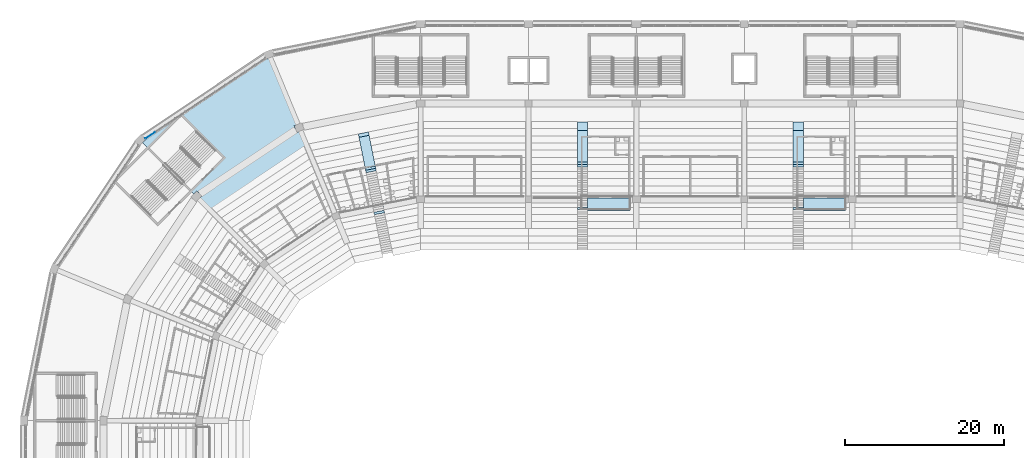
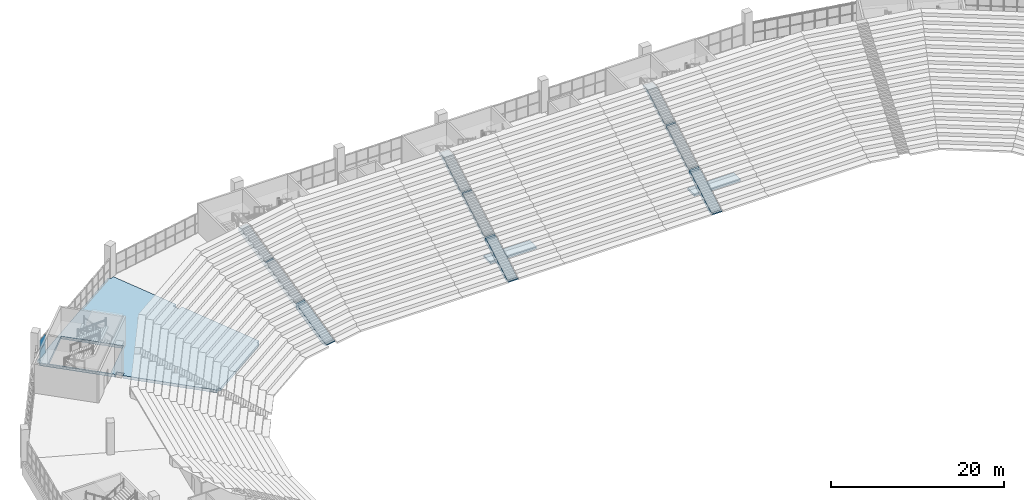
# One storey, part 77 of 249: 12 slabs, 2 plates, 1 element without a shape of its own.
"""IFC4 building model written with IfcOpenShell, lengths in metres."""

from ifc_helpers import new_model, si_unit, direction, frame, origin, origin_2d, place, context, subcontext, project, spatial, polyline, rectangle, outline, extrude, material, layer, layer_set, type_object, element, aggregate, save


model = new_model("IFC4")

# Units and contexts
model_context = context("Model", 3, precision=1e-05, world=origin(), true_north=direction((0.0, 1.0)))
body_context = subcontext(model_context, "Body", "Model", "MODEL_VIEW")
ifc_project = project(units=[si_unit("LENGTHUNIT", "METRE"), si_unit("AREAUNIT", "SQUARE_METRE"), si_unit("VOLUMEUNIT", "CUBIC_METRE"), si_unit("PLANEANGLEUNIT", "RADIAN"), si_unit("MASSUNIT", "GRAM", prefix="KILO")], contexts=[model_context])

# Site, building, storey
site_placement = place(None, origin())
site = spatial("IfcSite", under=ifc_project, at=site_placement, CompositionType="ELEMENT")
building_placement = place(site_placement, origin())
building = spatial("IfcBuilding", under=site, at=building_placement, Name="Ogive Plaza Stadium", CompositionType="ELEMENT")
storey_placement = place(building_placement, frame((0.0, 0.0, 13.5)))
storey = spatial("IfcBuildingStorey", under=building, at=storey_placement, Name="L03", CompositionType="ELEMENT", Elevation=13.5)

# Slabs
ifc_material_1 = material(Name="Concrete C40/50", Category="concrete")
ifc_layer_1 = layer(ifc_material_1, 0.73486328125)
ifc_layer_set_1 = layer_set([ifc_layer_1], Name="Concrete C40/50")
ifc_layer_2 = layer(ifc_material_1, 0.449951171875)
ifc_layer_set_2 = layer_set([ifc_layer_2], Name="Concrete C40/50")
slab_type_1 = type_object("IfcSlabType", Name="Aisle stair slab 1300", PredefinedType="USERDEFINED", material=ifc_layer_set_2)
slab_1_placement = place(storey_placement, frame((-38.1943359375, 73.5869140625, -13.5), z_axis=(0.0, 0.0, 1.0), x_axis=(-0.195090322016, 0.980785280403, 0.0)))
element("IfcSlab", 1, at=slab_1_placement, inside=storey, type_object=slab_type_1, material=ifc_layer_set_1, Name="Aisle stair SA31U slab 1", ObjectType="AISLE STAIR SLAB", PredefinedType="USERDEFINED", context=body_context, shape_type="SweptSolid", body=[
    extrude(outline(polyline([(0.0, 14.0), (0.2958984375, 14.0), (5.10009765625, 16.825927734375), (5.39990234375, 16.825927734375), (5.39990234375, 16.300048828125), (5.359375, 16.27734375), (5.209228515625, 16.194091796875), (5.059326171875, 16.110595703125), (4.9091796875, 16.02734375), (4.75927734375, 15.944091796875), (4.609375, 15.860595703125), (4.459228515625, 15.77734375), (4.309326171875, 15.694091796875), (4.1591796875, 15.610595703125), (4.00927734375, 15.52734375), (3.859375, 15.444091796875), (3.709228515625, 15.360595703125), (3.559326171875, 15.27734375), (3.4091796875, 15.194091796875), (3.25927734375, 15.110595703125), (3.109375, 15.02734375), (2.959228515625, 14.944091796875), (2.809326171875, 14.860595703125), (2.6591796875, 14.77734375), (2.50927734375, 14.694091796875), (2.359375, 14.610595703125), (2.209228515625, 14.52734375), (2.059326171875, 14.444091796875), (1.9091796875, 14.360595703125), (1.75927734375, 14.27734375), (1.609375, 14.194091796875), (1.459228515625, 14.110595703125), (1.309326171875, 14.02734375), (1.1591796875, 13.944091796875), (1.00927734375, 13.860595703125), (0.859375, 13.77734375), (0.709228515625, 13.75), (0.559326171875, 13.75), (0.4091796875, 13.75), (0.25927734375, 13.75), (0.109375, 13.75), (0.0, 14.0)])), frame((0.0, 0.64990234375, 0.0), z_axis=(0.0, -1.0, 0.0), x_axis=(1.0, 0.0, 0.0)), (0.0, 0.0, 1.0), 1.300048828125),
])
ifc_layer_3 = layer(ifc_material_1, 0.75927734375)
ifc_layer_set_3 = layer_set([ifc_layer_3], Name="Concrete C40/50")
slab_2_placement = place(storey_placement, frame((-39.248046875, 78.883056640625, -13.5), z_axis=(0.0, 0.0, 1.0), x_axis=(-0.195090322016, 0.980785280403, 0.0)))
element("IfcSlab", 2, at=slab_2_placement, inside=storey, type_object=slab_type_1, material=ifc_layer_set_3, Name="Aisle stair SA31U slab 2", ObjectType="AISLE STAIR SLAB", PredefinedType="USERDEFINED", context=body_context, shape_type="SweptSolid", body=[
    extrude(outline(polyline([(0.0, 17.0), (0.2958984375, 17.0), (5.10009765625, 19.825927734375), (5.39990234375, 19.825927734375), (5.39990234375, 19.300048828125), (5.25, 19.216796875), (5.10009765625, 19.13330078125), (4.949951171875, 19.050048828125), (4.800048828125, 18.966796875), (4.64990234375, 18.88330078125), (4.5, 18.800048828125), (4.35009765625, 18.716796875), (4.199951171875, 18.63330078125), (4.050048828125, 18.550048828125), (3.89990234375, 18.466796875), (3.75, 18.38330078125), (3.60009765625, 18.300048828125), (3.449951171875, 18.216796875), (3.300048828125, 18.13330078125), (3.14990234375, 18.050048828125), (3.0, 17.966796875), (2.85009765625, 17.88330078125), (2.699951171875, 17.800048828125), (2.550048828125, 17.716796875), (2.39990234375, 17.63330078125), (2.25, 17.550048828125), (2.10009765625, 17.466796875), (1.949951171875, 17.38330078125), (1.800048828125, 17.300048828125), (1.64990234375, 17.216796875), (1.5, 17.13330078125), (1.35009765625, 17.050048828125), (1.199951171875, 16.966796875), (1.050048828125, 16.88330078125), (0.89990234375, 16.800048828125), (0.75, 16.716796875), (0.60009765625, 16.63330078125), (0.449951171875, 16.550048828125), (0.300048828125, 16.466796875), (0.14990234375, 16.38330078125), (0.0, 16.300048828125), (0.0, 17.0)])), frame((0.0, 0.64990234375, 0.0), z_axis=(0.0, -1.0, 0.0), x_axis=(1.0, 0.0, 0.0)), (0.0, 0.0, 1.0), 1.300048828125),
])
ifc_layer_4 = layer(ifc_material_1, 0.81640625)
ifc_layer_set_4 = layer_set([ifc_layer_4], Name="Concrete C40/50")
slab_3_placement = place(storey_placement, frame((-40.301513671875, 84.179443359375, -13.5), z_axis=(0.0, 0.0, 1.0), x_axis=(-0.195090322016, 0.980785280403, 0.0)))
element("IfcSlab", 3, at=slab_3_placement, inside=storey, type_object=slab_type_1, material=ifc_layer_set_4, Name="Aisle stair SA31U slab 3", ObjectType="AISLE STAIR SLAB", PredefinedType="USERDEFINED", context=body_context, shape_type="SweptSolid", body=[
    extrude(outline(polyline([(0.0, 20.0), (0.2958984375, 20.0), (4.25, 22.325927734375), (4.675537109375, 22.325927734375), (4.675537109375, 21.897705078125), (4.64990234375, 21.88330078125), (4.5, 21.800048828125), (4.35009765625, 21.716796875), (4.199951171875, 21.63330078125), (4.050048828125, 21.550048828125), (3.89990234375, 21.466796875), (3.75, 21.38330078125), (3.60009765625, 21.300048828125), (3.449951171875, 21.216796875), (3.300048828125, 21.13330078125), (3.14990234375, 21.050048828125), (3.0, 20.966796875), (2.85009765625, 20.88330078125), (2.699951171875, 20.800048828125), (2.550048828125, 20.716796875), (2.39990234375, 20.63330078125), (2.25, 20.550048828125), (2.10009765625, 20.466796875), (1.949951171875, 20.38330078125), (1.800048828125, 20.300048828125), (1.64990234375, 20.216796875), (1.5, 20.13330078125), (1.35009765625, 20.050048828125), (1.199951171875, 19.966796875), (1.050048828125, 19.88330078125), (0.89990234375, 19.800048828125), (0.75, 19.716796875), (0.60009765625, 19.63330078125), (0.449951171875, 19.550048828125), (0.300048828125, 19.466796875), (0.14990234375, 19.38330078125), (0.0, 19.300048828125), (0.0, 20.0)])), frame((0.0, 0.64990234375, 0.0), z_axis=(0.0, -1.0, 0.0), x_axis=(1.0, 0.0, 0.0)), (0.0, 0.0, 1.0), 1.300048828125),
])
slab_4_placement = place(storey_placement, frame((-13.60009765625, 74.0, -13.5), z_axis=(0.0, 0.0, 1.0), x_axis=(0.0, 1.0, 0.0)))
element("IfcSlab", 4, at=slab_4_placement, inside=storey, type_object=slab_type_1, material=ifc_layer_set_1, Name="Aisle stair SA33U slab 1", ObjectType="AISLE STAIR SLAB", PredefinedType="USERDEFINED", context=body_context, shape_type="SweptSolid", body=[
    extrude(outline(polyline([(0.0, 14.0), (0.2958984375, 14.0), (5.10009765625, 16.825927734375), (5.39990234375, 16.825927734375), (5.39990234375, 16.300048828125), (5.359375, 16.27734375), (5.209228515625, 16.194091796875), (5.059326171875, 16.110595703125), (4.9091796875, 16.02734375), (4.75927734375, 15.944091796875), (4.609375, 15.860595703125), (4.459228515625, 15.77734375), (4.309326171875, 15.694091796875), (4.1591796875, 15.610595703125), (4.00927734375, 15.52734375), (3.859375, 15.444091796875), (3.709228515625, 15.360595703125), (3.559326171875, 15.27734375), (3.4091796875, 15.194091796875), (3.25927734375, 15.110595703125), (3.109375, 15.02734375), (2.959228515625, 14.944091796875), (2.809326171875, 14.860595703125), (2.6591796875, 14.77734375), (2.50927734375, 14.694091796875), (2.359375, 14.610595703125), (2.209228515625, 14.52734375), (2.059326171875, 14.444091796875), (1.9091796875, 14.360595703125), (1.75927734375, 14.27734375), (1.609375, 14.194091796875), (1.459228515625, 14.110595703125), (1.309326171875, 14.02734375), (1.1591796875, 13.944091796875), (1.00927734375, 13.860595703125), (0.859375, 13.77734375), (0.709228515625, 13.75), (0.559326171875, 13.75), (0.4091796875, 13.75), (0.25927734375, 13.75), (0.109375, 13.75), (0.0, 14.0)])), frame((0.0, 0.64990234375, 0.0), z_axis=(0.0, -1.0, 0.0), x_axis=(1.0, 0.0, 0.0)), (0.0, 0.0, 1.0), 1.300048828125),
])
slab_5_placement = place(storey_placement, frame((-13.60009765625, 79.39990234375, -13.5), z_axis=(0.0, 0.0, 1.0), x_axis=(0.0, 1.0, 0.0)))
element("IfcSlab", 5, at=slab_5_placement, inside=storey, type_object=slab_type_1, material=ifc_layer_set_3, Name="Aisle stair SA33U slab 2", ObjectType="AISLE STAIR SLAB", PredefinedType="USERDEFINED", context=body_context, shape_type="SweptSolid", body=[
    extrude(outline(polyline([(0.0, 17.0), (0.2958984375, 17.0), (5.10009765625, 19.825927734375), (5.39990234375, 19.825927734375), (5.39990234375, 19.300048828125), (5.25, 19.216796875), (5.10009765625, 19.13330078125), (4.949951171875, 19.050048828125), (4.800048828125, 18.966796875), (4.64990234375, 18.88330078125), (4.5, 18.800048828125), (4.35009765625, 18.716796875), (4.199951171875, 18.63330078125), (4.050048828125, 18.550048828125), (3.89990234375, 18.466796875), (3.75, 18.38330078125), (3.60009765625, 18.300048828125), (3.449951171875, 18.216796875), (3.300048828125, 18.13330078125), (3.14990234375, 18.050048828125), (3.0, 17.966796875), (2.85009765625, 17.88330078125), (2.699951171875, 17.800048828125), (2.550048828125, 17.716796875), (2.39990234375, 17.63330078125), (2.25, 17.550048828125), (2.10009765625, 17.466796875), (1.949951171875, 17.38330078125), (1.800048828125, 17.300048828125), (1.64990234375, 17.216796875), (1.5, 17.13330078125), (1.35009765625, 17.050048828125), (1.199951171875, 16.966796875), (1.050048828125, 16.88330078125), (0.89990234375, 16.800048828125), (0.75, 16.716796875), (0.60009765625, 16.63330078125), (0.449951171875, 16.550048828125), (0.300048828125, 16.466796875), (0.14990234375, 16.38330078125), (0.0, 16.300048828125), (0.0, 17.0)])), frame((0.0, 0.64990234375, 0.0), z_axis=(0.0, -1.0, 0.0), x_axis=(1.0, 0.0, 0.0)), (0.0, 0.0, 1.0), 1.300048828125),
])
ifc_layer_5 = layer(ifc_material_1, 1.08056640625)
ifc_layer_set_5 = layer_set([ifc_layer_5], Name="Concrete C40/50")
slab_6_placement = place(storey_placement, frame((-13.60009765625, 84.800048828125, -13.5), z_axis=(0.0, 0.0, 1.0), x_axis=(0.0, 1.0, 0.0)))
element("IfcSlab", 6, at=slab_6_placement, inside=storey, type_object=slab_type_1, material=ifc_layer_set_5, Name="Aisle stair SA33U slab 3", ObjectType="AISLE STAIR SLAB", PredefinedType="USERDEFINED", context=body_context, shape_type="SweptSolid", body=[
    extrude(outline(polyline([(0.0, 20.0), (0.2958984375, 20.0), (4.25, 22.325927734375), (5.35009765625, 22.325927734375), (5.35009765625, 22.272216796875), (5.25, 22.216796875), (5.10009765625, 22.13330078125), (4.949951171875, 22.050048828125), (4.800048828125, 21.966796875), (4.64990234375, 21.88330078125), (4.5, 21.800048828125), (4.35009765625, 21.716796875), (4.199951171875, 21.63330078125), (4.050048828125, 21.550048828125), (3.89990234375, 21.466796875), (3.75, 21.38330078125), (3.60009765625, 21.300048828125), (3.449951171875, 21.216796875), (3.300048828125, 21.13330078125), (3.14990234375, 21.050048828125), (3.0, 20.966796875), (2.85009765625, 20.88330078125), (2.699951171875, 20.800048828125), (2.550048828125, 20.716796875), (2.39990234375, 20.63330078125), (2.25, 20.550048828125), (2.10009765625, 20.466796875), (1.949951171875, 20.38330078125), (1.800048828125, 20.300048828125), (1.64990234375, 20.216796875), (1.5, 20.13330078125), (1.35009765625, 20.050048828125), (1.199951171875, 19.966796875), (1.050048828125, 19.88330078125), (0.89990234375, 19.800048828125), (0.75, 19.716796875), (0.60009765625, 19.63330078125), (0.449951171875, 19.550048828125), (0.300048828125, 19.466796875), (0.14990234375, 19.38330078125), (0.0, 19.300048828125), (0.0, 20.0)])), frame((0.0, 0.64990234375, 0.0), z_axis=(0.0, -1.0, 0.0), x_axis=(1.0, 0.0, 0.0)), (0.0, 0.0, 1.0), 1.300048828125),
])
slab_7_placement = place(storey_placement, frame((13.60009765625, 74.0, -13.5), z_axis=(0.0, 0.0, 1.0), x_axis=(0.0, 1.0, 0.0)))
element("IfcSlab", 7, at=slab_7_placement, inside=storey, type_object=slab_type_1, material=ifc_layer_set_1, Name="Aisle stair SA35U slab 1", ObjectType="AISLE STAIR SLAB", PredefinedType="USERDEFINED", context=body_context, shape_type="SweptSolid", body=[
    extrude(outline(polyline([(0.0, 14.0), (0.2958984375, 14.0), (5.10009765625, 16.825927734375), (5.39990234375, 16.825927734375), (5.39990234375, 16.300048828125), (5.359375, 16.27734375), (5.209228515625, 16.194091796875), (5.059326171875, 16.110595703125), (4.9091796875, 16.02734375), (4.75927734375, 15.944091796875), (4.609375, 15.860595703125), (4.459228515625, 15.77734375), (4.309326171875, 15.694091796875), (4.1591796875, 15.610595703125), (4.00927734375, 15.52734375), (3.859375, 15.444091796875), (3.709228515625, 15.360595703125), (3.559326171875, 15.27734375), (3.4091796875, 15.194091796875), (3.25927734375, 15.110595703125), (3.109375, 15.02734375), (2.959228515625, 14.944091796875), (2.809326171875, 14.860595703125), (2.6591796875, 14.77734375), (2.50927734375, 14.694091796875), (2.359375, 14.610595703125), (2.209228515625, 14.52734375), (2.059326171875, 14.444091796875), (1.9091796875, 14.360595703125), (1.75927734375, 14.27734375), (1.609375, 14.194091796875), (1.459228515625, 14.110595703125), (1.309326171875, 14.02734375), (1.1591796875, 13.944091796875), (1.00927734375, 13.860595703125), (0.859375, 13.77734375), (0.709228515625, 13.75), (0.559326171875, 13.75), (0.4091796875, 13.75), (0.25927734375, 13.75), (0.109375, 13.75), (0.0, 14.0)])), frame((0.0, 0.64990234375, 0.0), z_axis=(0.0, -1.0, 0.0), x_axis=(1.0, 0.0, 0.0)), (0.0, 0.0, 1.0), 1.300048828125),
])
slab_8_placement = place(storey_placement, frame((13.60009765625, 79.39990234375, -13.5), z_axis=(0.0, 0.0, 1.0), x_axis=(0.0, 1.0, 0.0)))
element("IfcSlab", 8, at=slab_8_placement, inside=storey, type_object=slab_type_1, material=ifc_layer_set_3, Name="Aisle stair SA35U slab 2", ObjectType="AISLE STAIR SLAB", PredefinedType="USERDEFINED", context=body_context, shape_type="SweptSolid", body=[
    extrude(outline(polyline([(0.0, 17.0), (0.2958984375, 17.0), (5.10009765625, 19.825927734375), (5.39990234375, 19.825927734375), (5.39990234375, 19.300048828125), (5.25, 19.216796875), (5.10009765625, 19.13330078125), (4.949951171875, 19.050048828125), (4.800048828125, 18.966796875), (4.64990234375, 18.88330078125), (4.5, 18.800048828125), (4.35009765625, 18.716796875), (4.199951171875, 18.63330078125), (4.050048828125, 18.550048828125), (3.89990234375, 18.466796875), (3.75, 18.38330078125), (3.60009765625, 18.300048828125), (3.449951171875, 18.216796875), (3.300048828125, 18.13330078125), (3.14990234375, 18.050048828125), (3.0, 17.966796875), (2.85009765625, 17.88330078125), (2.699951171875, 17.800048828125), (2.550048828125, 17.716796875), (2.39990234375, 17.63330078125), (2.25, 17.550048828125), (2.10009765625, 17.466796875), (1.949951171875, 17.38330078125), (1.800048828125, 17.300048828125), (1.64990234375, 17.216796875), (1.5, 17.13330078125), (1.35009765625, 17.050048828125), (1.199951171875, 16.966796875), (1.050048828125, 16.88330078125), (0.89990234375, 16.800048828125), (0.75, 16.716796875), (0.60009765625, 16.63330078125), (0.449951171875, 16.550048828125), (0.300048828125, 16.466796875), (0.14990234375, 16.38330078125), (0.0, 16.300048828125), (0.0, 17.0)])), frame((0.0, 0.64990234375, 0.0), z_axis=(0.0, -1.0, 0.0), x_axis=(1.0, 0.0, 0.0)), (0.0, 0.0, 1.0), 1.300048828125),
])
slab_9_placement = place(storey_placement, frame((13.60009765625, 84.800048828125, -13.5), z_axis=(0.0, 0.0, 1.0), x_axis=(0.0, 1.0, 0.0)))
element("IfcSlab", 9, at=slab_9_placement, inside=storey, type_object=slab_type_1, material=ifc_layer_set_5, Name="Aisle stair SA35U slab 3", ObjectType="AISLE STAIR SLAB", PredefinedType="USERDEFINED", context=body_context, shape_type="SweptSolid", body=[
    extrude(outline(polyline([(0.0, 20.0), (0.2958984375, 20.0), (4.25, 22.325927734375), (5.35009765625, 22.325927734375), (5.35009765625, 22.272216796875), (5.25, 22.216796875), (5.10009765625, 22.13330078125), (4.949951171875, 22.050048828125), (4.800048828125, 21.966796875), (4.64990234375, 21.88330078125), (4.5, 21.800048828125), (4.35009765625, 21.716796875), (4.199951171875, 21.63330078125), (4.050048828125, 21.550048828125), (3.89990234375, 21.466796875), (3.75, 21.38330078125), (3.60009765625, 21.300048828125), (3.449951171875, 21.216796875), (3.300048828125, 21.13330078125), (3.14990234375, 21.050048828125), (3.0, 20.966796875), (2.85009765625, 20.88330078125), (2.699951171875, 20.800048828125), (2.550048828125, 20.716796875), (2.39990234375, 20.63330078125), (2.25, 20.550048828125), (2.10009765625, 20.466796875), (1.949951171875, 20.38330078125), (1.800048828125, 20.300048828125), (1.64990234375, 20.216796875), (1.5, 20.13330078125), (1.35009765625, 20.050048828125), (1.199951171875, 19.966796875), (1.050048828125, 19.88330078125), (0.89990234375, 19.800048828125), (0.75, 19.716796875), (0.60009765625, 19.63330078125), (0.449951171875, 19.550048828125), (0.300048828125, 19.466796875), (0.14990234375, 19.38330078125), (0.0, 19.300048828125), (0.0, 20.0)])), frame((0.0, 0.64990234375, 0.0), z_axis=(0.0, -1.0, 0.0), x_axis=(1.0, 0.0, 0.0)), (0.0, 0.0, 1.0), 1.300048828125),
])
ifc_material_2 = material(Name="Concrete C40/50", Category="concrete")
ifc_layer_6 = layer(ifc_material_2, 0.25)
ifc_layer_set_6 = layer_set([ifc_layer_6], Name="Concrete C40/50")
slab_type_2 = type_object("IfcSlabType", Name="Balcony slab 250", PredefinedType="FLOOR", material=ifc_layer_set_6)
slab_10_placement = place(storey_placement, frame((0.0, 0.0, -0.25)))
element("IfcSlab", 10, at=slab_10_placement, inside=storey, type_object=slab_type_2, Name="Suite terrace slab B33", PredefinedType="FLOOR", context=body_context, shape_type="SweptSolid", body=[
    extrude(outline(polyline([(-7.625, 79.0), (-7.625, 80.60009765625), (-13.77490234375, 80.60009765625), (-13.77490234375, 79.0), (-7.625, 79.0)])), origin(), (0.0, 0.0, 1.0), 0.25),
])
slab_11_placement = place(storey_placement, frame((0.0, 0.0, -0.25)))
element("IfcSlab", 11, at=slab_11_placement, inside=storey, type_object=slab_type_2, Name="Suite terrace slab B35", PredefinedType="FLOOR", context=body_context, shape_type="SweptSolid", body=[
    extrude(outline(polyline([(19.574951171875, 79.0), (19.574951171875, 80.60009765625), (13.425048828125, 80.60009765625), (13.425048828125, 79.0), (19.574951171875, 79.0)])), origin(), (0.0, 0.0, 1.0), 0.25),
])

# Curtain wall, plates
ifc_material_3 = material(Name="Bronze-anodised aluminium with laminated glass", Category="aluminium")
curtain_wall_type = type_object("IfcCurtainWallType", Name="Lancet curtain wall", PredefinedType="NOTDEFINED", material=ifc_material_3)
curtain_wall_placement = place(storey_placement, origin())
curtain_wall = element("IfcCurtainWall", 12, at=curtain_wall_placement, inside=storey, type_object=curtain_wall_type, Name="CURTAIN WALL B30 L03", PredefinedType="NOTDEFINED")
ifc_material_4 = material(Name="Laminated glass", Category="glass")
ifc_layer_7 = layer(ifc_material_4, 0.028076171875)
ifc_layer_set_7 = layer_set([ifc_layer_7], Name="Laminated glass panel 28")
plate_type = type_object("IfcPlateType", Name="Laminated glass panel 28", PredefinedType="CURTAIN_PANEL", material=ifc_layer_set_7)
plate_1_placement = place(storey_placement, frame((-68.0849609375, 88.463623046875, 0.0498046875), z_axis=(0.0, 0.0, 1.0), x_axis=(0.831469612303, 0.55557023302, 0.0)))
plate_1 = element("IfcPlate", 13, at=plate_1_placement, type_object=plate_type, Name="CW-B30-L03 panel 1.1", PredefinedType="CURTAIN_PANEL", context=body_context, shape_type="SweptSolid", body=[
    extrude(rectangle(XDim=1.447265625, YDim=0.028076171875, at=origin_2d()), origin(), (0.0, 0.0, 1.0), 1.320068359375),
])
plate_2_placement = place(storey_placement, frame((-68.0849609375, 88.463623046875, 1.419921875), z_axis=(0.0, 0.0, 1.0), x_axis=(0.831469612303, 0.55557023302, 0.0)))
plate_2 = element("IfcPlate", 14, at=plate_2_placement, type_object=plate_type, Name="CW-B30-L03 panel 1.2", PredefinedType="CURTAIN_PANEL", context=body_context, shape_type="SweptSolid", body=[
    extrude(rectangle(XDim=1.447265625, YDim=0.028076171875, at=origin_2d()), origin(), (0.0, 0.0, 1.0), 1.320068359375),
])
aggregate(curtain_wall, [plate_1, plate_2])

# Slab
ifc_material_5 = material(Name="Concrete C40/50", Category="concrete")
ifc_layer_8 = layer(ifc_material_5, 0.409912109375)
ifc_layer_set_8 = layer_set([ifc_layer_8], Name="Concrete C40/50")
slab_type_3 = type_object("IfcSlabType", Name="RC floor slab 410", PredefinedType="FLOOR", material=ifc_layer_set_8)
slab_12_placement = place(storey_placement, frame((0.0, 0.0, -0.409912109375)))
element("IfcSlab", 15, at=slab_12_placement, inside=storey, type_object=slab_type_3, Name="Floor slab L03 B30", PredefinedType="FLOOR", context=body_context, shape_type="SweptSolid", body=[
    extrude(outline(polyline([(-49.135009765625, 89.03955078125), (-49.59716796875, 88.84814453125), (-49.94140625, 89.6796875), (-49.4794921875, 89.870849609375), (-52.9619140625, 98.2783203125), (-53.47021484375, 98.06787109375), (-53.600341796875, 98.38232421875), (-68.88916015625, 88.1669921875), (-68.648193359375, 87.926025390625), (-69.037109375, 87.537109375), (-62.6025390625, 81.1025390625), (-62.2490234375, 81.4560546875), (-61.612548828125, 80.819580078125), (-61.966064453125, 80.466064453125), (-54.01123046875, 72.51123046875), (-53.69287109375, 72.829345703125), (-53.48828125, 72.62451171875), (-45.135009765625, 78.2060546875), (-45.24560546875, 78.4736328125), (-44.829833984375, 78.645751953125), (-49.135009765625, 89.03955078125)]), holes=[polyline([(-62.938232421875, 81.615234375), (-58.90771484375, 85.645751953125), (-64.182861328125, 90.920654296875), (-68.21337890625, 86.89013671875), (-62.938232421875, 81.615234375)])]), origin(), (0.0, 0.0, 1.0), 0.409912109375),
])

save(model, "model.ifc")
